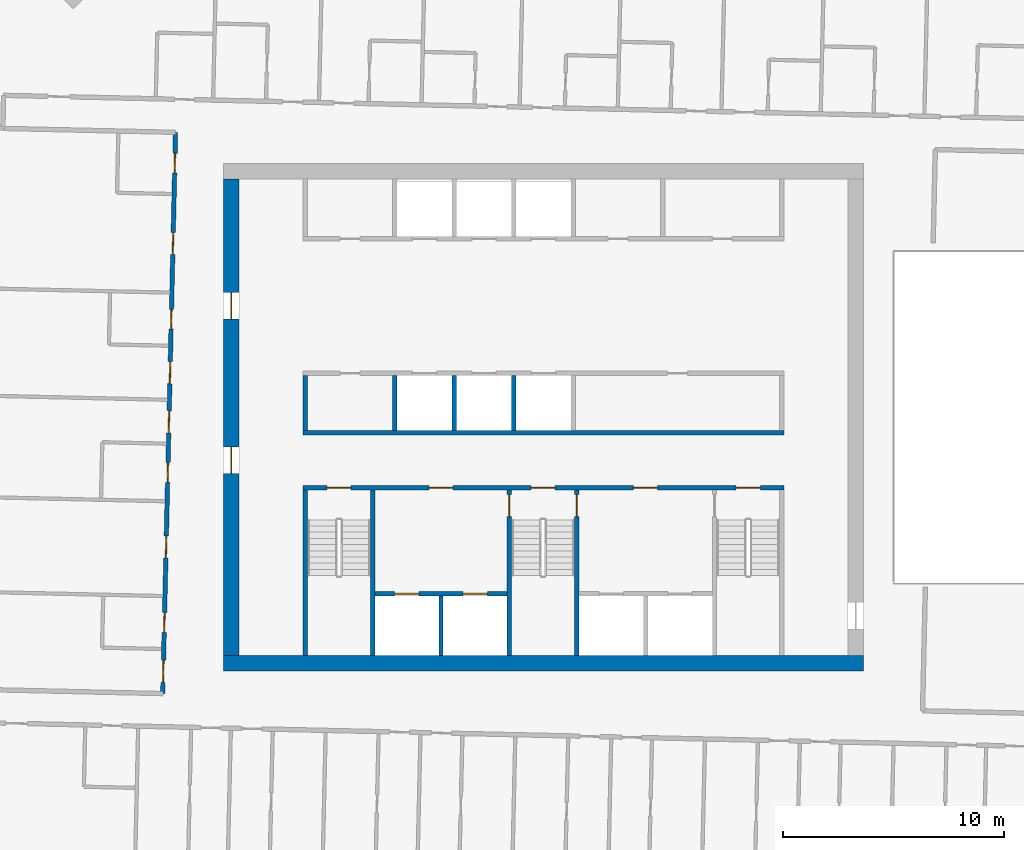
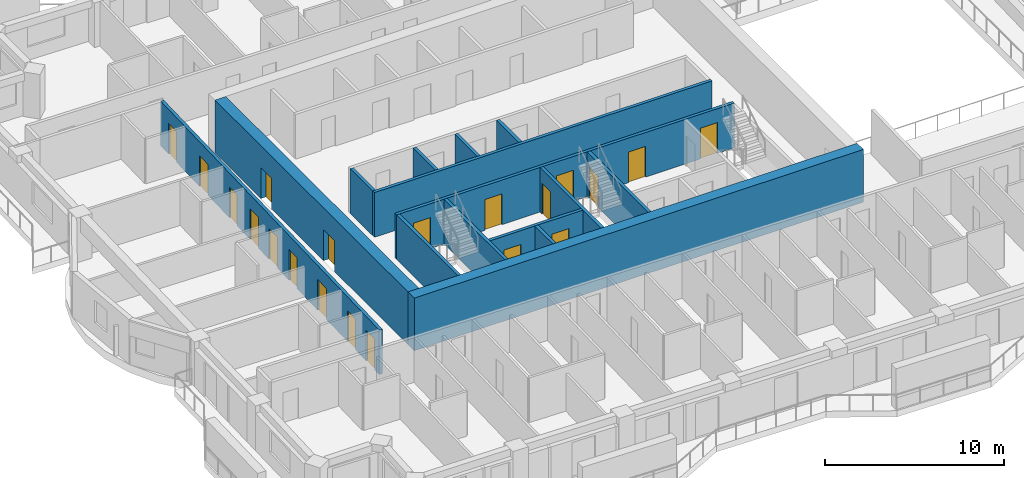
# One storey, part 8 of 17: 20 doors, 15 walls, 20 openings.
"""IFC4 building model written with IfcOpenShell, lengths in metres."""

from ifc_helpers import new_model, si_unit, direction, frame, frame_2d, origin, place, context, subcontext, project, spatial, rectangle, extrude, material, layer, layer_set, type_object, element, fill, save


model = new_model("IFC4")

# Units and contexts
model_context = context("Model", 3, precision=1e-05, world=origin(), true_north=direction((0.0, 1.0)))
body_context = subcontext(model_context, "Body", "Model", "MODEL_VIEW")
ifc_project = project(units=[si_unit("LENGTHUNIT", "METRE"), si_unit("AREAUNIT", "SQUARE_METRE"), si_unit("VOLUMEUNIT", "CUBIC_METRE"), si_unit("PLANEANGLEUNIT", "RADIAN"), si_unit("MASSUNIT", "GRAM", prefix="KILO")], contexts=[model_context])

# Site, building, storey
site_placement = place(None, origin())
site = spatial("IfcSite", under=ifc_project, at=site_placement, CompositionType="ELEMENT")
building_placement = place(site_placement, origin())
building = spatial("IfcBuilding", under=site, at=building_placement, Name="Mangrove Gate Tower", CompositionType="ELEMENT")
storey_placement = place(building_placement, frame((0.0, 0.0, 260.89990234375)))
storey = spatial("IfcBuildingStorey", under=building, at=storey_placement, Name="L66", CompositionType="ELEMENT", Elevation=260.89990234375)

# Walls
ifc_material_1 = material(Name="Concrete C32/40", Category="concrete")
ifc_layer_1 = layer(ifc_material_1, 0.199951171875)
ifc_layer_set_1 = layer_set([ifc_layer_1], Name="Core room wall 200 C32/40")
wall_type_1 = type_object("IfcWallType", Name="Core room wall 200 C32/40", PredefinedType="STANDARD", material=ifc_layer_set_1)
wall_1_placement = place(storey_placement, frame((-10.800048828125, -0.60009765625, 0.0), z_axis=(0.0, 0.0, 1.0), x_axis=(0.0, 1.0, 0.0)))
element("IfcWall", 1, at=wall_1_placement, inside=storey, type_object=wall_type_1, Name="WALL-L66-CORE-19", PredefinedType="STANDARD", context=body_context, shape_type="SweptSolid", body=[
    extrude(rectangle(XDim=2.5, YDim=0.199951171875, at=frame_2d((1.25, 0.0))), origin(), (0.0, 0.0, 1.0), 3.050048828125),
])
ifc_material_2 = material(Name="Concrete C60/75", Category="concrete")
ifc_layer_2 = layer(ifc_material_2, 0.199951171875)
ifc_layer_set_2 = layer_set([ifc_layer_2], Name="Core shaft wall 200 C60/75")
wall_type_2 = type_object("IfcWallType", Name="Core shaft wall 200 C60/75", PredefinedType="SHEAR", material=ifc_layer_set_2)
wall_2_placement = place(storey_placement, frame((-10.89990234375, -0.699951171875, 0.0), z_axis=(0.0, 0.0, 1.0), x_axis=(1.0, 0.0, 0.0)))
element("IfcWall", 2, at=wall_2_placement, inside=storey, type_object=wall_type_2, Name="WALL-L66-CORE-6", PredefinedType="SHEAR", context=body_context, shape_type="SweptSolid", body=[
    extrude(rectangle(XDim=21.7998046875, YDim=0.199951171875, at=frame_2d((10.89990234375, 0.0))), origin(), (0.0, 0.0, 1.0), 3.050048828125),
])

# Wall, openings, doors
wall_3_placement = place(storey_placement, frame((-7.64990234375, -8.0, 0.0), z_axis=(0.0, 0.0, 1.0), x_axis=(1.0, 0.0, 0.0)))
wall_3 = element("IfcWall", 3, at=wall_3_placement, inside=storey, type_object=wall_type_2, Name="WALL-L66-CORE-15", PredefinedType="SHEAR", context=body_context, shape_type="SweptSolid", body=[
    extrude(rectangle(XDim=6.0, YDim=0.199951171875, at=frame_2d((3.0, 0.0))), origin(), (0.0, 0.0, 1.0), 3.050048828125),
])
opening_1_placement = place(wall_3_placement, frame((0.89990234375, 0.0, 0.0)))
opening_1 = element("IfcOpeningElement", 4, at=opening_1_placement, cuts=wall_3, Name="Opening LD", PredefinedType="OPENING", context=body_context, shape_type="SweptSolid", body=[
    extrude(rectangle(XDim=1.10009765625, YDim=2.10009765625, at=frame_2d((0.550048828125, 1.050048828125))), frame((0.0, 0.10986328125, 0.0), z_axis=(0.0, -1.0, 0.0), x_axis=(1.0, 0.0, 0.0)), (0.0, 0.0, 1.0), 0.219970703125),
])
opening_2_placement = place(wall_3_placement, frame((4.0, 0.0, 0.0)))
opening_2 = element("IfcOpeningElement", 5, at=opening_2_placement, cuts=wall_3, Name="Opening LD", PredefinedType="OPENING", context=body_context, shape_type="SweptSolid", body=[
    extrude(rectangle(XDim=1.10009765625, YDim=2.10009765625, at=frame_2d((0.550048828125, 1.050048828125))), frame((0.0, 0.10986328125, 0.0), z_axis=(0.0, -1.0, 0.0), x_axis=(1.0, 0.0, 0.0)), (0.0, 0.0, 1.0), 0.219970703125),
])
ifc_material_3 = material(Name="Stainless steel 316", Category="steel")
door_type_1 = type_object("IfcDoorType", Name="Lift landing door 1100x2100", OperationType="SLIDING_TO_LEFT", PredefinedType="DOOR", material=ifc_material_3)
door_1_placement = place(opening_1_placement, origin())
door_1 = element("IfcDoor", 6, at=door_1_placement, inside=storey, type_object=door_type_1, Name="Landing door LD SVL1", OperationType="SLIDING_TO_LEFT", OverallHeight=2.10009765625, OverallWidth=1.10009765625, PredefinedType="DOOR", context=body_context, shape_type="SweptSolid", body=[
    extrude(rectangle(XDim=1.10009765625, YDim=2.10009765625, at=frame_2d((0.550048828125, 1.050048828125))), frame((0.0, 0.02490234375, 0.0), z_axis=(0.0, -1.0, 0.0), x_axis=(1.0, 0.0, 0.0)), (0.0, 0.0, 1.0), 0.050048828125),
])
fill(opening_1, door_1)
door_2_placement = place(opening_2_placement, origin())
door_2 = element("IfcDoor", 7, at=door_2_placement, inside=storey, type_object=door_type_1, Name="Landing door LD SVL2", OperationType="SLIDING_TO_LEFT", OverallHeight=2.10009765625, OverallWidth=1.10009765625, PredefinedType="DOOR", context=body_context, shape_type="SweptSolid", body=[
    extrude(rectangle(XDim=1.10009765625, YDim=2.10009765625, at=frame_2d((0.550048828125, 1.050048828125))), frame((0.0, 0.02490234375, 0.0), z_axis=(0.0, -1.0, 0.0), x_axis=(1.0, 0.0, 0.0)), (0.0, 0.0, 1.0), 0.050048828125),
])
fill(opening_2, door_2)

# Walls
wall_4_placement = place(storey_placement, frame((-4.64990234375, -10.800048828125, 0.0), z_axis=(0.0, 0.0, 1.0), x_axis=(0.0, 1.0, 0.0)))
element("IfcWall", 8, at=wall_4_placement, inside=storey, type_object=wall_type_2, Name="WALL-L66-CORE-16", PredefinedType="SHEAR", context=body_context, shape_type="SweptSolid", body=[
    extrude(rectangle(XDim=2.699951171875, YDim=0.199951171875, at=frame_2d((1.35009765625, 0.0))), origin(), (0.0, 0.0, 1.0), 3.050048828125),
])
for number, where, z_axis, x_axis, name in (
    (9, (-6.75, -0.60009765625, 0.0), (0.0, 0.0, 1.0), (0.0, 1.0, 0.0), "WALL-L66-CORE-20"),
    (10, (-4.050048828125, -0.60009765625, 0.0), (0.0, 0.0, 1.0), (0.0, 1.0, 0.0), "WALL-L66-CORE-21"),
    (11, (-1.35009765625, -0.60009765625, 0.0), (0.0, 0.0, 1.0), (0.0, 1.0, 0.0), "WALL-L66-CORE-22"),
):
    element("IfcWall", number, at=place(storey_placement, frame(where, z_axis=z_axis, x_axis=x_axis)), inside=storey, type_object=wall_type_2, Name=name, PredefinedType="SHEAR", context=body_context, shape_type="SweptSolid", body=[
        extrude(rectangle(XDim=2.5, YDim=0.199951171875, at=frame_2d((1.25, 0.0))), origin(), (0.0, 0.0, 1.0), 3.050048828125),
    ])

# Wall, openings, doors
ifc_material_4 = material(Name="Concrete C60/75", Category="concrete")
ifc_layer_3 = layer(ifc_material_4, 0.199951171875)
ifc_layer_set_3 = layer_set([ifc_layer_3], Name="Core stair wall 200 C60/75")
wall_type_3 = type_object("IfcWallType", Name="Core stair wall 200 C60/75", PredefinedType="SHEAR", material=ifc_layer_set_3)
wall_5_placement = place(storey_placement, frame((-10.89990234375, -3.199951171875, 0.0), z_axis=(0.0, 0.0, 1.0), x_axis=(1.0, 0.0, 0.0)))
wall_5 = element("IfcWall", 12, at=wall_5_placement, inside=storey, type_object=wall_type_3, Name="WALL-L66-CORE-5", PredefinedType="SHEAR", context=body_context, shape_type="SweptSolid", body=[
    extrude(rectangle(XDim=21.7998046875, YDim=0.199951171875, at=frame_2d((10.89990234375, 0.0))), origin(), (0.0, 0.0, 1.0), 3.050048828125),
])
opening_3_placement = place(wall_5_placement, frame((1.074951171875, 0.0, 0.0)))
opening_3 = element("IfcOpeningElement", 13, at=opening_3_placement, cuts=wall_5, Name="Opening STD11", PredefinedType="OPENING", context=body_context, shape_type="SweptSolid", body=[
    extrude(rectangle(XDim=1.10009765625, YDim=2.10009765625, at=frame_2d((0.550048828125, 1.050048828125))), frame((0.0, 0.10986328125, 0.0), z_axis=(0.0, -1.0, 0.0), x_axis=(1.0, 0.0, 0.0)), (0.0, 0.0, 1.0), 0.219970703125),
])
opening_4_placement = place(wall_5_placement, frame((10.324951171875, 0.0, 0.0)))
opening_4 = element("IfcOpeningElement", 14, at=opening_4_placement, cuts=wall_5, Name="Opening STD11", PredefinedType="OPENING", context=body_context, shape_type="SweptSolid", body=[
    extrude(rectangle(XDim=1.10009765625, YDim=2.10009765625, at=frame_2d((0.550048828125, 1.050048828125))), frame((0.0, 0.10986328125, 0.0), z_axis=(0.0, -1.0, 0.0), x_axis=(1.0, 0.0, 0.0)), (0.0, 0.0, 1.0), 0.219970703125),
])
opening_5_placement = place(wall_5_placement, frame((19.625, 0.0, 0.0)))
opening_5 = element("IfcOpeningElement", 15, at=opening_5_placement, cuts=wall_5, Name="Opening STD11", PredefinedType="OPENING", context=body_context, shape_type="SweptSolid", body=[
    extrude(rectangle(XDim=1.10009765625, YDim=2.10009765625, at=frame_2d((0.550048828125, 1.050048828125))), frame((0.0, 0.10986328125, 0.0), z_axis=(0.0, -1.0, 0.0), x_axis=(1.0, 0.0, 0.0)), (0.0, 0.0, 1.0), 0.219970703125),
])
opening_6_placement = place(wall_5_placement, frame((5.699951171875, 0.0, 0.0)))
opening_6 = element("IfcOpeningElement", 16, at=opening_6_placement, cuts=wall_5, Name="Opening FL", PredefinedType="OPENING", context=body_context, shape_type="SweptSolid", body=[
    extrude(rectangle(XDim=1.10009765625, YDim=2.10009765625, at=frame_2d((0.550048828125, 1.050048828125))), frame((0.0, 0.10986328125, 0.0), z_axis=(0.0, -1.0, 0.0), x_axis=(1.0, 0.0, 0.0)), (0.0, 0.0, 1.0), 0.219970703125),
])
opening_7_placement = place(wall_5_placement, frame((14.97509765625, 0.0, 0.0)))
opening_7 = element("IfcOpeningElement", 17, at=opening_7_placement, cuts=wall_5, Name="Opening FL", PredefinedType="OPENING", context=body_context, shape_type="SweptSolid", body=[
    extrude(rectangle(XDim=1.10009765625, YDim=2.10009765625, at=frame_2d((0.550048828125, 1.050048828125))), frame((0.0, 0.10986328125, 0.0), z_axis=(0.0, -1.0, 0.0), x_axis=(1.0, 0.0, 0.0)), (0.0, 0.0, 1.0), 0.219970703125),
])
ifc_material_5 = material(Name="Fire-rated steel door set", Category="steel")
door_type_2 = type_object("IfcDoorType", Name="Lobby door FD60 1100x2100", OperationType="SINGLE_SWING_LEFT", PredefinedType="DOOR", material=ifc_material_5)
door_3_placement = place(opening_6_placement, origin())
door_3 = element("IfcDoor", 18, at=door_3_placement, inside=storey, type_object=door_type_2, Name="Lobby door service lobby", OperationType="SINGLE_SWING_LEFT", OverallHeight=2.10009765625, OverallWidth=1.10009765625, PredefinedType="DOOR", context=body_context, shape_type="SweptSolid", body=[
    extrude(rectangle(XDim=1.10009765625, YDim=2.10009765625, at=frame_2d((0.550048828125, 1.050048828125))), frame((0.0, 0.02490234375, 0.0), z_axis=(0.0, -1.0, 0.0), x_axis=(1.0, 0.0, 0.0)), (0.0, 0.0, 1.0), 0.050048828125),
])
fill(opening_6, door_3)
door_4_placement = place(opening_7_placement, origin())
door_4 = element("IfcDoor", 19, at=door_4_placement, inside=storey, type_object=door_type_2, Name="Lobby door fire-fighting lobby", OperationType="SINGLE_SWING_LEFT", OverallHeight=2.10009765625, OverallWidth=1.10009765625, PredefinedType="DOOR", context=body_context, shape_type="SweptSolid", body=[
    extrude(rectangle(XDim=1.10009765625, YDim=2.10009765625, at=frame_2d((0.550048828125, 1.050048828125))), frame((0.0, 0.02490234375, 0.0), z_axis=(0.0, -1.0, 0.0), x_axis=(1.0, 0.0, 0.0)), (0.0, 0.0, 1.0), 0.050048828125),
])
fill(opening_7, door_4)
ifc_material_6 = material(Name="Fire-rated steel door set", Category="steel")
door_type_3 = type_object("IfcDoorType", Name="Stair door FD60 1100x2100", OperationType="SINGLE_SWING_RIGHT", PredefinedType="DOOR", material=ifc_material_6)
door_5_placement = place(opening_3_placement, origin())
door_5 = element("IfcDoor", 20, at=door_5_placement, inside=storey, type_object=door_type_3, Name="Stair door Stair 1", OperationType="SINGLE_SWING_RIGHT", OverallHeight=2.10009765625, OverallWidth=1.10009765625, PredefinedType="DOOR", context=body_context, shape_type="SweptSolid", body=[
    extrude(rectangle(XDim=1.10009765625, YDim=2.10009765625, at=frame_2d((0.550048828125, 1.050048828125))), frame((0.0, 0.02490234375, 0.0), z_axis=(0.0, -1.0, 0.0), x_axis=(1.0, 0.0, 0.0)), (0.0, 0.0, 1.0), 0.050048828125),
])
fill(opening_3, door_5)
door_6_placement = place(opening_4_placement, origin())
door_6 = element("IfcDoor", 21, at=door_6_placement, inside=storey, type_object=door_type_3, Name="Stair door Stair 2", OperationType="SINGLE_SWING_RIGHT", OverallHeight=2.10009765625, OverallWidth=1.10009765625, PredefinedType="DOOR", context=body_context, shape_type="SweptSolid", body=[
    extrude(rectangle(XDim=1.10009765625, YDim=2.10009765625, at=frame_2d((0.550048828125, 1.050048828125))), frame((0.0, 0.02490234375, 0.0), z_axis=(0.0, -1.0, 0.0), x_axis=(1.0, 0.0, 0.0)), (0.0, 0.0, 1.0), 0.050048828125),
])
fill(opening_4, door_6)
door_7_placement = place(opening_5_placement, origin())
door_7 = element("IfcDoor", 22, at=door_7_placement, inside=storey, type_object=door_type_3, Name="Stair door Stair 3", OperationType="SINGLE_SWING_RIGHT", OverallHeight=2.10009765625, OverallWidth=1.10009765625, PredefinedType="DOOR", context=body_context, shape_type="SweptSolid", body=[
    extrude(rectangle(XDim=1.10009765625, YDim=2.10009765625, at=frame_2d((0.550048828125, 1.050048828125))), frame((0.0, 0.02490234375, 0.0), z_axis=(0.0, -1.0, 0.0), x_axis=(1.0, 0.0, 0.0)), (0.0, 0.0, 1.0), 0.050048828125),
])
fill(opening_5, door_7)

# Walls
for number, where, z_axis, x_axis, name in (
    (23, (-10.800048828125, -10.800048828125, 0.0), (0.0, 0.0, 1.0), (0.0, 1.0, 0.0), "WALL-L66-CORE-9"),
    (24, (-7.75, -10.800048828125, 0.0), (0.0, 0.0, 1.0), (0.0, 1.0, 0.0), "WALL-L66-CORE-10"),
):
    element("IfcWall", number, at=place(storey_placement, frame(where, z_axis=z_axis, x_axis=x_axis)), inside=storey, type_object=wall_type_3, Name=name, PredefinedType="SHEAR", context=body_context, shape_type="SweptSolid", body=[
        extrude(rectangle(XDim=7.5, YDim=0.199951171875, at=frame_2d((3.75, 0.0))), origin(), (0.0, 0.0, 1.0), 3.050048828125),
    ])

# Wall, opening, door
wall_6_placement = place(storey_placement, frame((-1.550048828125, -10.800048828125, 0.0), z_axis=(0.0, 0.0, 1.0), x_axis=(0.0, 1.0, 0.0)))
wall_6 = element("IfcWall", 25, at=wall_6_placement, inside=storey, type_object=wall_type_3, Name="WALL-L66-CORE-11", PredefinedType="SHEAR", context=body_context, shape_type="SweptSolid", body=[
    extrude(rectangle(XDim=7.5, YDim=0.199951171875, at=frame_2d((3.75, 0.0))), origin(), (0.0, 0.0, 1.0), 3.050048828125),
])
opening_8_placement = place(wall_6_placement, frame((6.300048828125, 0.0, 0.0)))
opening_8 = element("IfcOpeningElement", 26, at=opening_8_placement, cuts=wall_6, Name="Opening STD10", PredefinedType="OPENING", context=body_context, shape_type="SweptSolid", body=[
    extrude(rectangle(XDim=1.0, YDim=2.10009765625, at=frame_2d((0.5, 1.050048828125))), frame((0.0, 0.10986328125, 0.0), z_axis=(0.0, -1.0, 0.0), x_axis=(1.0, 0.0, 0.0)), (0.0, 0.0, 1.0), 0.219970703125),
])
ifc_material_7 = material(Name="Fire-rated steel door set", Category="steel")
door_type_4 = type_object("IfcDoorType", Name="Stair door FD60 1000x2100", OperationType="SINGLE_SWING_RIGHT", PredefinedType="DOOR", material=ifc_material_7)
door_8_placement = place(opening_8_placement, origin())
door_8 = element("IfcDoor", 27, at=door_8_placement, inside=storey, type_object=door_type_4, Name="Stair door Stair 2 from service lobby", OperationType="SINGLE_SWING_RIGHT", OverallHeight=2.10009765625, OverallWidth=1.0, PredefinedType="DOOR", context=body_context, shape_type="SweptSolid", body=[
    extrude(rectangle(XDim=1.0, YDim=2.10009765625, at=frame_2d((0.5, 1.050048828125))), frame((0.0, 0.02490234375, 0.0), z_axis=(0.0, -1.0, 0.0), x_axis=(1.0, 0.0, 0.0)), (0.0, 0.0, 1.0), 0.050048828125),
])
fill(opening_8, door_8)

wall_7_placement = place(storey_placement, frame((1.5, -10.800048828125, 0.0), z_axis=(0.0, 0.0, 1.0), x_axis=(0.0, 1.0, 0.0)))
wall_7 = element("IfcWall", 28, at=wall_7_placement, inside=storey, type_object=wall_type_3, Name="WALL-L66-CORE-12", PredefinedType="SHEAR", context=body_context, shape_type="SweptSolid", body=[
    extrude(rectangle(XDim=7.5, YDim=0.199951171875, at=frame_2d((3.75, 0.0))), origin(), (0.0, 0.0, 1.0), 3.050048828125),
])
opening_9_placement = place(wall_7_placement, frame((6.300048828125, 0.0, 0.0)))
opening_9 = element("IfcOpeningElement", 29, at=opening_9_placement, cuts=wall_7, Name="Opening STD10", PredefinedType="OPENING", context=body_context, shape_type="SweptSolid", body=[
    extrude(rectangle(XDim=1.0, YDim=2.10009765625, at=frame_2d((0.5, 1.050048828125))), frame((0.0, 0.10986328125, 0.0), z_axis=(0.0, -1.0, 0.0), x_axis=(1.0, 0.0, 0.0)), (0.0, 0.0, 1.0), 0.219970703125),
])
door_9_placement = place(opening_9_placement, origin())
door_9 = element("IfcDoor", 30, at=door_9_placement, inside=storey, type_object=door_type_4, Name="Stair door Stair 2 from fire-fighting lobby", OperationType="SINGLE_SWING_RIGHT", OverallHeight=2.10009765625, OverallWidth=1.0, PredefinedType="DOOR", context=body_context, shape_type="SweptSolid", body=[
    extrude(rectangle(XDim=1.0, YDim=2.10009765625, at=frame_2d((0.5, 1.050048828125))), frame((0.0, 0.02490234375, 0.0), z_axis=(0.0, -1.0, 0.0), x_axis=(1.0, 0.0, 0.0)), (0.0, 0.0, 1.0), 0.050048828125),
])
fill(opening_9, door_9)

# Wall
ifc_material_8 = material(Name="Concrete C60/75", Category="concrete")
ifc_layer_4 = layer(ifc_material_8, 0.699951171875)
ifc_layer_set_4 = layer_set([ifc_layer_4], Name="Core wall 700 C60/75")
wall_type_4 = type_object("IfcWallType", Name="Core wall 700 C60/75", PredefinedType="SHEAR", material=ifc_layer_set_4)
wall_8_placement = place(storey_placement, frame((-14.5, -11.14990234375, 0.0), z_axis=(0.0, 0.0, 1.0), x_axis=(1.0, 0.0, 0.0)))
element("IfcWall", 31, at=wall_8_placement, inside=storey, type_object=wall_type_4, Name="WALL-L66-CORE-1", PredefinedType="SHEAR", context=body_context, shape_type="SweptSolid", body=[
    extrude(rectangle(XDim=29.0, YDim=0.699951171875, at=frame_2d((14.5, 0.0))), origin(), (0.0, 0.0, 1.0), 3.60009765625),
])

# Wall, openings, doors
wall_9_placement = place(storey_placement, frame((-14.14990234375, -10.800048828125, 0.0), z_axis=(0.0, 0.0, 1.0), x_axis=(0.0, 1.0, 0.0)))
wall_9 = element("IfcWall", 32, at=wall_9_placement, inside=storey, type_object=wall_type_4, Name="WALL-L66-CORE-3", PredefinedType="SHEAR", context=body_context, shape_type="SweptSolid", body=[
    extrude(rectangle(XDim=21.60009765625, YDim=0.699951171875, at=frame_2d((10.800048828125, 0.0))), origin(), (0.0, 0.0, 1.0), 3.60009765625),
])
opening_10_placement = place(wall_9_placement, frame((8.25, 0.0, 0.0)))
opening_10 = element("IfcOpeningElement", 33, at=opening_10_placement, cuts=wall_9, Name="Opening CD", PredefinedType="OPENING", context=body_context, shape_type="SweptSolid", body=[
    extrude(rectangle(XDim=1.199951171875, YDim=2.10009765625, at=frame_2d((0.60009765625, 1.050048828125))), frame((0.0, 0.35986328125, 0.0), z_axis=(0.0, -1.0, 0.0), x_axis=(1.0, 0.0, 0.0)), (0.0, 0.0, 1.0), 0.719970703125),
])
opening_11_placement = place(wall_9_placement, frame((15.25, 0.0, 0.0)))
opening_11 = element("IfcOpeningElement", 34, at=opening_11_placement, cuts=wall_9, Name="Opening CD", PredefinedType="OPENING", context=body_context, shape_type="SweptSolid", body=[
    extrude(rectangle(XDim=1.199951171875, YDim=2.10009765625, at=frame_2d((0.60009765625, 1.050048828125))), frame((0.0, 0.35986328125, 0.0), z_axis=(0.0, -1.0, 0.0), x_axis=(1.0, 0.0, 0.0)), (0.0, 0.0, 1.0), 0.719970703125),
])
ifc_material_9 = material(Name="Fire-rated steel door set", Category="steel")
door_type_5 = type_object("IfcDoorType", Name="Core ring door FD60 1200x2100", OperationType="DOUBLE_DOOR_SINGLE_SWING", PredefinedType="DOOR", material=ifc_material_9)
door_10_placement = place(opening_10_placement, origin())
door_10 = element("IfcDoor", 35, at=door_10_placement, inside=storey, type_object=door_type_5, Name="Core ring door W1", OperationType="DOUBLE_DOOR_SINGLE_SWING", OverallHeight=2.10009765625, OverallWidth=1.199951171875, PredefinedType="DOOR", context=body_context, shape_type="SweptSolid", body=[
    extrude(rectangle(XDim=1.199951171875, YDim=2.10009765625, at=frame_2d((0.60009765625, 1.050048828125))), frame((0.0, 0.02490234375, 0.0), z_axis=(0.0, -1.0, 0.0), x_axis=(1.0, 0.0, 0.0)), (0.0, 0.0, 1.0), 0.050048828125),
])
fill(opening_10, door_10)
door_11_placement = place(opening_11_placement, origin())
door_11 = element("IfcDoor", 36, at=door_11_placement, inside=storey, type_object=door_type_5, Name="Core ring door W2", OperationType="DOUBLE_DOOR_SINGLE_SWING", OverallHeight=2.10009765625, OverallWidth=1.199951171875, PredefinedType="DOOR", context=body_context, shape_type="SweptSolid", body=[
    extrude(rectangle(XDim=1.199951171875, YDim=2.10009765625, at=frame_2d((0.60009765625, 1.050048828125))), frame((0.0, 0.02490234375, 0.0), z_axis=(0.0, -1.0, 0.0), x_axis=(1.0, 0.0, 0.0)), (0.0, 0.0, 1.0), 0.050048828125),
])
fill(opening_11, door_11)

ifc_material_10 = material(Name="Gypsum board on steel stud, EI 60", Category="steel")
ifc_layer_5 = layer(ifc_material_10, 0.199951171875)
ifc_layer_set_5 = layer_set([ifc_layer_5], Name="Corridor wall EI 60")
wall_type_5 = type_object("IfcWallType", Name="Corridor wall EI 60", PredefinedType="PARTITIONING", material=ifc_layer_set_5)
wall_10_placement = place(storey_placement, frame((-17.261962890625, -12.52490234375, 0.0), z_axis=(0.0, 0.0, 1.0), x_axis=(0.022706151961, 0.999742182097, 0.0)))
wall_10 = element("IfcWall", 37, at=wall_10_placement, inside=storey, type_object=wall_type_5, Name="WALL-L66-037", PredefinedType="PARTITIONING", context=body_context, shape_type="SweptSolid", body=[
    extrude(rectangle(XDim=25.450439453125, YDim=0.199951171875, at=frame_2d((12.72509765625, 0.0))), origin(), (0.0, 0.0, 1.0), 3.050048828125),
])
opening_12_placement = place(wall_10_placement, frame((19.9130859375, 0.0, 0.0)))
opening_12 = element("IfcOpeningElement", 38, at=opening_12_placement, cuts=wall_10, Name="Opening AD", PredefinedType="OPENING", context=body_context, shape_type="SweptSolid", body=[
    extrude(rectangle(XDim=1.0, YDim=2.10009765625, at=frame_2d((0.5, 1.050048828125))), frame((0.0, 0.10986328125, 0.0), z_axis=(0.0, -1.0, 0.0), x_axis=(1.0, 0.0, 0.0)), (0.0, 0.0, 1.0), 0.219970703125),
])
opening_13_placement = place(wall_10_placement, frame((23.60009765625, 0.0, 0.0)))
opening_13 = element("IfcOpeningElement", 39, at=opening_13_placement, cuts=wall_10, Name="Opening SD", PredefinedType="OPENING", context=body_context, shape_type="SweptSolid", body=[
    extrude(rectangle(XDim=0.89990234375, YDim=2.10009765625, at=frame_2d((0.449951171875, 1.050048828125))), frame((0.0, 0.10986328125, 0.0), z_axis=(0.0, -1.0, 0.0), x_axis=(1.0, 0.0, 0.0)), (0.0, 0.0, 1.0), 0.219970703125),
])
opening_14_placement = place(wall_10_placement, frame((14.050048828125, 0.0, 0.0)))
opening_14 = element("IfcOpeningElement", 40, at=opening_14_placement, cuts=wall_10, Name="Opening AD", PredefinedType="OPENING", context=body_context, shape_type="SweptSolid", body=[
    extrude(rectangle(XDim=1.0, YDim=2.10009765625, at=frame_2d((0.5, 1.050048828125))), frame((0.0, 0.10986328125, 0.0), z_axis=(0.0, -1.0, 0.0), x_axis=(1.0, 0.0, 0.0)), (0.0, 0.0, 1.0), 0.219970703125),
])
opening_15_placement = place(wall_10_placement, frame((16.52490234375, 0.0, 0.0)))
opening_15 = element("IfcOpeningElement", 41, at=opening_15_placement, cuts=wall_10, Name="Opening SD", PredefinedType="OPENING", context=body_context, shape_type="SweptSolid", body=[
    extrude(rectangle(XDim=0.89990234375, YDim=2.10009765625, at=frame_2d((0.449951171875, 1.050048828125))), frame((0.0, 0.10986328125, 0.0), z_axis=(0.0, -1.0, 0.0), x_axis=(1.0, 0.0, 0.0)), (0.0, 0.0, 1.0), 0.219970703125),
])
opening_16_placement = place(wall_10_placement, frame((11.824951171875, 0.0, 0.0)))
opening_16 = element("IfcOpeningElement", 42, at=opening_16_placement, cuts=wall_10, Name="Opening AD", PredefinedType="OPENING", context=body_context, shape_type="SweptSolid", body=[
    extrude(rectangle(XDim=1.0, YDim=2.10009765625, at=frame_2d((0.5, 1.050048828125))), frame((0.0, 0.10986328125, 0.0), z_axis=(0.0, -1.0, 0.0), x_axis=(1.0, 0.0, 0.0)), (0.0, 0.0, 1.0), 0.219970703125),
])
opening_17_placement = place(wall_10_placement, frame((9.574951171875, 0.0, 0.0)))
opening_17 = element("IfcOpeningElement", 43, at=opening_17_placement, cuts=wall_10, Name="Opening SD", PredefinedType="OPENING", context=body_context, shape_type="SweptSolid", body=[
    extrude(rectangle(XDim=0.89990234375, YDim=2.10009765625, at=frame_2d((0.449951171875, 1.050048828125))), frame((0.0, 0.10986328125, 0.0), z_axis=(0.0, -1.0, 0.0), x_axis=(1.0, 0.0, 0.0)), (0.0, 0.0, 1.0), 0.219970703125),
])
opening_18_placement = place(wall_10_placement, frame((6.155029296875, 0.0, 0.0)))
opening_18 = element("IfcOpeningElement", 44, at=opening_18_placement, cuts=wall_10, Name="Opening AD", PredefinedType="OPENING", context=body_context, shape_type="SweptSolid", body=[
    extrude(rectangle(XDim=1.0, YDim=2.10009765625, at=frame_2d((0.5, 1.050048828125))), frame((0.0, 0.10986328125, 0.0), z_axis=(0.0, -1.0, 0.0), x_axis=(1.0, 0.0, 0.0)), (0.0, 0.0, 1.0), 0.219970703125),
])
opening_19_placement = place(wall_10_placement, frame((0.511962890625, 0.0, 0.0)))
opening_19 = element("IfcOpeningElement", 45, at=opening_19_placement, cuts=wall_10, Name="Opening AD", PredefinedType="OPENING", context=body_context, shape_type="SweptSolid", body=[
    extrude(rectangle(XDim=1.0, YDim=2.10009765625, at=frame_2d((0.5, 1.050048828125))), frame((0.0, 0.10986328125, 0.0), z_axis=(0.0, -1.0, 0.0), x_axis=(1.0, 0.0, 0.0)), (0.0, 0.0, 1.0), 0.219970703125),
])
opening_20_placement = place(wall_10_placement, frame((2.77490234375, 0.0, 0.0)))
opening_20 = element("IfcOpeningElement", 46, at=opening_20_placement, cuts=wall_10, Name="Opening SD", PredefinedType="OPENING", context=body_context, shape_type="SweptSolid", body=[
    extrude(rectangle(XDim=0.89990234375, YDim=2.10009765625, at=frame_2d((0.449951171875, 1.050048828125))), frame((0.0, 0.10986328125, 0.0), z_axis=(0.0, -1.0, 0.0), x_axis=(1.0, 0.0, 0.0)), (0.0, 0.0, 1.0), 0.219970703125),
])
ifc_material_11 = material(Name="Timber door leaf", Category="wood")
door_type_6 = type_object("IfcDoorType", Name="Amenity door 1000", OperationType="SINGLE_SWING_LEFT", PredefinedType="DOOR", material=ifc_material_11)
door_12_placement = place(opening_12_placement, origin())
door_12 = element("IfcDoor", 47, at=door_12_placement, inside=storey, type_object=door_type_6, Name="DOOR-L66-LNG-c5a", OperationType="SINGLE_SWING_LEFT", OverallHeight=2.10009765625, OverallWidth=1.0, PredefinedType="DOOR", context=body_context, shape_type="SweptSolid", body=[
    extrude(rectangle(XDim=1.0, YDim=2.10009765625, at=frame_2d((0.5, 1.050048828125))), frame((0.0, 0.02490234375, 0.0), z_axis=(0.0, -1.0, 0.0), x_axis=(1.0, 0.0, 0.0)), (0.0, 0.0, 1.0), 0.050048828125),
])
fill(opening_12, door_12)
door_13_placement = place(opening_14_placement, origin())
door_13 = element("IfcDoor", 48, at=door_13_placement, inside=storey, type_object=door_type_6, Name="DOOR-L66-GAM-c5b", OperationType="SINGLE_SWING_RIGHT", OverallHeight=2.10009765625, OverallWidth=1.0, PredefinedType="DOOR", context=body_context, shape_type="SweptSolid", body=[
    extrude(rectangle(XDim=1.0, YDim=2.10009765625, at=frame_2d((0.5, 1.050048828125))), frame((0.0, 0.02490234375, 0.0), z_axis=(0.0, -1.0, 0.0), x_axis=(1.0, 0.0, 0.0)), (0.0, 0.0, 1.0), 0.050048828125),
])
fill(opening_14, door_13)
door_14_placement = place(opening_16_placement, origin())
door_14 = element("IfcDoor", 49, at=door_14_placement, inside=storey, type_object=door_type_6, Name="DOOR-L66-GAM-c5c", OperationType="SINGLE_SWING_LEFT", OverallHeight=2.10009765625, OverallWidth=1.0, PredefinedType="DOOR", context=body_context, shape_type="SweptSolid", body=[
    extrude(rectangle(XDim=1.0, YDim=2.10009765625, at=frame_2d((0.5, 1.050048828125))), frame((0.0, 0.02490234375, 0.0), z_axis=(0.0, -1.0, 0.0), x_axis=(1.0, 0.0, 0.0)), (0.0, 0.0, 1.0), 0.050048828125),
])
fill(opening_16, door_14)
door_15_placement = place(opening_18_placement, origin())
door_15 = element("IfcDoor", 50, at=door_15_placement, inside=storey, type_object=door_type_6, Name="DOOR-L66-LNG-c5b", OperationType="SINGLE_SWING_RIGHT", OverallHeight=2.10009765625, OverallWidth=1.0, PredefinedType="DOOR", context=body_context, shape_type="SweptSolid", body=[
    extrude(rectangle(XDim=1.0, YDim=2.10009765625, at=frame_2d((0.5, 1.050048828125))), frame((0.0, 0.02490234375, 0.0), z_axis=(0.0, -1.0, 0.0), x_axis=(1.0, 0.0, 0.0)), (0.0, 0.0, 1.0), 0.050048828125),
])
fill(opening_18, door_15)
door_16_placement = place(opening_19_placement, origin())
door_16 = element("IfcDoor", 51, at=door_16_placement, inside=storey, type_object=door_type_6, Name="DOOR-L66-KIT-c5a", OperationType="SINGLE_SWING_LEFT", OverallHeight=2.10009765625, OverallWidth=1.0, PredefinedType="DOOR", context=body_context, shape_type="SweptSolid", body=[
    extrude(rectangle(XDim=1.0, YDim=2.10009765625, at=frame_2d((0.5, 1.050048828125))), frame((0.0, 0.02490234375, 0.0), z_axis=(0.0, -1.0, 0.0), x_axis=(1.0, 0.0, 0.0)), (0.0, 0.0, 1.0), 0.050048828125),
])
fill(opening_19, door_16)
ifc_material_12 = material(Name="Timber door leaf", Category="wood")
door_type_7 = type_object("IfcDoorType", Name="Service room door 900", OperationType="SINGLE_SWING_LEFT", PredefinedType="DOOR", material=ifc_material_12)
door_17_placement = place(opening_13_placement, origin())
door_17 = element("IfcDoor", 52, at=door_17_placement, inside=storey, type_object=door_type_7, Name="DOOR-L66-LDY-c5a", OperationType="SINGLE_SWING_LEFT", OverallHeight=2.10009765625, OverallWidth=0.89990234375, PredefinedType="DOOR", context=body_context, shape_type="SweptSolid", body=[
    extrude(rectangle(XDim=0.89990234375, YDim=2.10009765625, at=frame_2d((0.449951171875, 1.050048828125))), frame((0.0, 0.02490234375, 0.0), z_axis=(0.0, -1.0, 0.0), x_axis=(1.0, 0.0, 0.0)), (0.0, 0.0, 1.0), 0.050048828125),
])
fill(opening_13, door_17)
door_18_placement = place(opening_15_placement, origin())
door_18 = element("IfcDoor", 53, at=door_18_placement, inside=storey, type_object=door_type_7, Name="DOOR-L66-WC-c5a", OperationType="SINGLE_SWING_RIGHT", OverallHeight=2.10009765625, OverallWidth=0.89990234375, PredefinedType="DOOR", context=body_context, shape_type="SweptSolid", body=[
    extrude(rectangle(XDim=0.89990234375, YDim=2.10009765625, at=frame_2d((0.449951171875, 1.050048828125))), frame((0.0, 0.02490234375, 0.0), z_axis=(0.0, -1.0, 0.0), x_axis=(1.0, 0.0, 0.0)), (0.0, 0.0, 1.0), 0.050048828125),
])
fill(opening_15, door_18)
door_19_placement = place(opening_17_placement, origin())
door_19 = element("IfcDoor", 54, at=door_19_placement, inside=storey, type_object=door_type_7, Name="DOOR-L66-AWC-c5b", OperationType="SINGLE_SWING_LEFT", OverallHeight=2.10009765625, OverallWidth=0.89990234375, PredefinedType="DOOR", context=body_context, shape_type="SweptSolid", body=[
    extrude(rectangle(XDim=0.89990234375, YDim=2.10009765625, at=frame_2d((0.449951171875, 1.050048828125))), frame((0.0, 0.02490234375, 0.0), z_axis=(0.0, -1.0, 0.0), x_axis=(1.0, 0.0, 0.0)), (0.0, 0.0, 1.0), 0.050048828125),
])
fill(opening_17, door_19)
door_20_placement = place(opening_20_placement, origin())
door_20 = element("IfcDoor", 55, at=door_20_placement, inside=storey, type_object=door_type_7, Name="DOOR-L66-WC-c5b", OperationType="SINGLE_SWING_RIGHT", OverallHeight=2.10009765625, OverallWidth=0.89990234375, PredefinedType="DOOR", context=body_context, shape_type="SweptSolid", body=[
    extrude(rectangle(XDim=0.89990234375, YDim=2.10009765625, at=frame_2d((0.449951171875, 1.050048828125))), frame((0.0, 0.02490234375, 0.0), z_axis=(0.0, -1.0, 0.0), x_axis=(1.0, 0.0, 0.0)), (0.0, 0.0, 1.0), 0.050048828125),
])
fill(opening_20, door_20)

save(model, "model.ifc")
